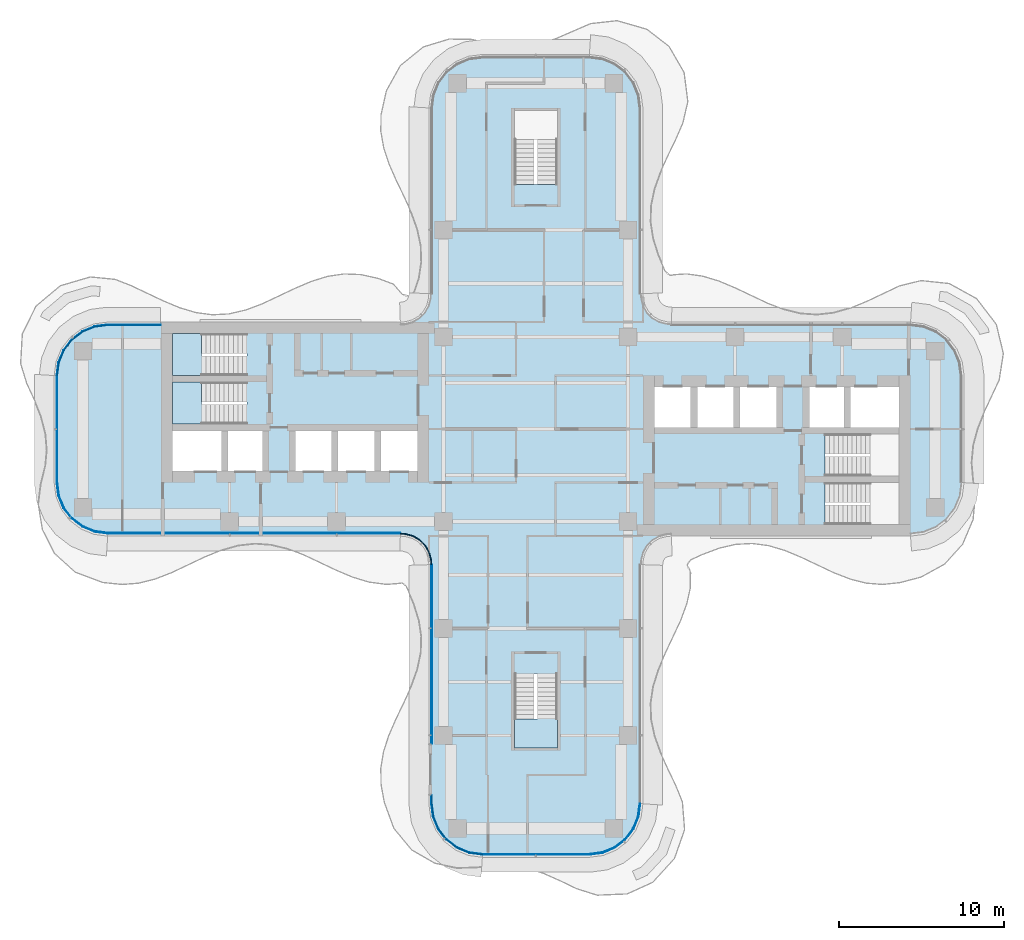
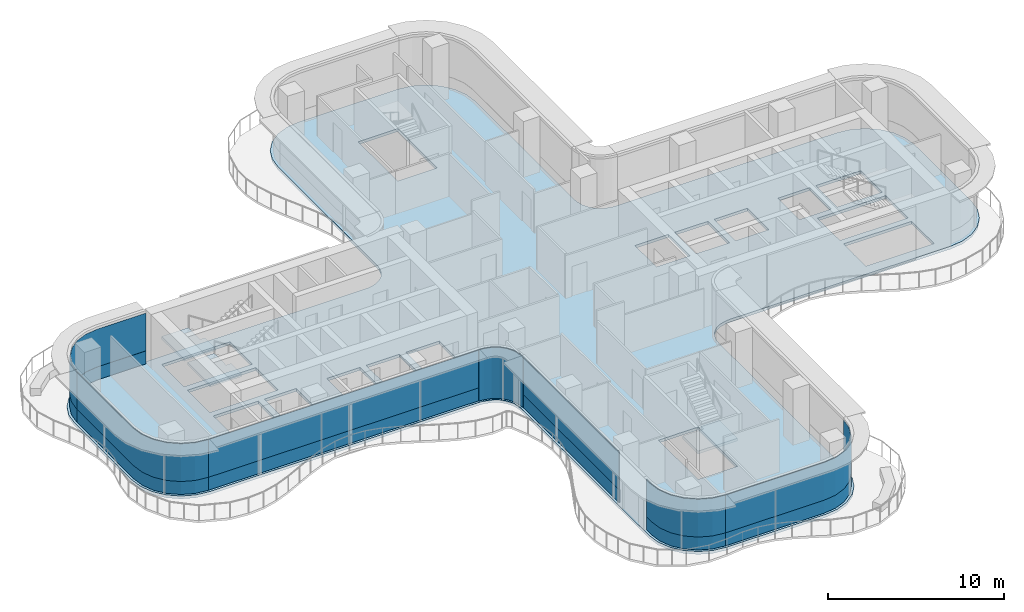
# One storey, part 9 of 17: 13 plates, 4 slabs, 10 elements without a shape of their own.
"""IFC4 building model written with IfcOpenShell, lengths in metres."""

from ifc_helpers import new_model, si_unit, direction, frame, origin, place, context, subcontext, project, spatial, polyline, outline, extrude, source, transform, mapped, material, layer, layer_set, type_object, element, aggregate, save


model = new_model("IFC4")

# Units and contexts
model_context = context("Model", 3, precision=1e-05, world=origin(), true_north=direction((0.0, 1.0)))
body_context = subcontext(model_context, "Body", "Model", "MODEL_VIEW")
ifc_project = project(units=[si_unit("LENGTHUNIT", "METRE"), si_unit("AREAUNIT", "SQUARE_METRE"), si_unit("VOLUMEUNIT", "CUBIC_METRE"), si_unit("PLANEANGLEUNIT", "RADIAN"), si_unit("MASSUNIT", "GRAM", prefix="KILO")], contexts=[model_context])

# Site, building, storey
site_placement = place(None, origin())
site = spatial("IfcSite", under=ifc_project, at=site_placement, CompositionType="ELEMENT")
building_placement = place(site_placement, origin())
building = spatial("IfcBuilding", under=site, at=building_placement, Name="Trellis Farm Tower", CompositionType="ELEMENT")
storey_placement = place(building_placement, frame((0.0, 0.0, 240.199951171875)))
storey = spatial("IfcBuildingStorey", under=building, at=storey_placement, Name="L53", CompositionType="ELEMENT", Elevation=240.199951171875)

# Curtain wall, plate
ifc_material_1 = material(Name="Aluminium and glass curtain wall", Category="aluminium")
ifc_layer_1 = layer(ifc_material_1, 0.18994140625)
ifc_layer_set_1 = layer_set([ifc_layer_1], Name="RIBBON CURTAIN WALL CW1")
curtain_wall_type_1 = type_object("IfcCurtainWallType", Name="RIBBON CURTAIN WALL CW1", PredefinedType="NOTDEFINED", material=ifc_layer_set_1)
placement_1 = place(storey_placement, origin())
curtain_wall_1 = element("IfcCurtainWall", 1, at=placement_1, inside=storey, type_object=curtain_wall_type_1, Name="CW1 002", PredefinedType="NOTDEFINED")
ifc_material_2 = material(Name="Clear insulated glass", Category="glass")
ifc_layer_2 = layer(ifc_material_2, 0.0400390625)
ifc_layer_set_2 = layer_set([ifc_layer_2], Name="CW1 GLASS PANEL 40")
plate_type_1 = type_object("IfcPlateType", Name="CW1 GLASS PANEL 40", PredefinedType="CURTAIN_PANEL", material=ifc_layer_set_2)
placement_2 = place(storey_placement, frame((0.0, 0.0, 0.900146484375)))
plate_1 = element("IfcPlate", 2, at=placement_2, type_object=plate_type_1, Name="PL1 002", PredefinedType="CURTAIN_PANEL", context=body_context, shape_type="SweptSolid", body=[
    extrude(outline(polyline([(-6.35009765625, -8.2265625), (-6.35009765625, -19.114990234375), (-6.31005859375, -19.114990234375), (-6.31005859375, -8.22509765625), (-6.35009765625, -8.2265625)])), origin(), (0.0, 0.0, 1.0), 2.619873046875),
])

curtain_wall_2 = element("IfcCurtainWall", 3, at=placement_1, inside=storey, type_object=curtain_wall_type_1, Name="CW1 003", PredefinedType="NOTDEFINED")
plate_2 = element("IfcPlate", 4, at=placement_2, type_object=plate_type_1, Name="PL1 003", PredefinedType="CURTAIN_PANEL", context=body_context, shape_type="SweptSolid", body=[
    extrude(outline(polyline([(-6.35009765625, -22.235107421875), (-6.35009765625, -22.740234375), (-6.2431640625, -23.552001953125), (-5.93359375, -24.29931640625), (-5.441162109375, -24.941162109375), (-4.79931640625, -25.43359375), (-4.052001953125, -25.7431640625), (-3.240234375, -25.85009765625), (-3.237548828125, -25.81005859375), (-4.04150390625, -25.7041015625), (-4.779296875, -25.398681640625), (-5.41259765625, -24.91259765625), (-5.898681640625, -24.279296875), (-6.2041015625, -23.54150390625), (-6.31005859375, -22.737548828125), (-6.31005859375, -22.235107421875), (-6.35009765625, -22.235107421875)])), origin(), (0.0, 0.0, 1.0), 2.619873046875),
])

# Plate
ifc_material_3 = material(Name="Sandstone faced insulated panel", Category="masonry")
ifc_layer_3 = layer(ifc_material_3, 0.050048828125)
ifc_layer_set_3 = layer_set([ifc_layer_3], Name="CW1 STONE SPANDREL PANEL 50")
plate_type_2 = type_object("IfcPlateType", Name="CW1 STONE SPANDREL PANEL 50", PredefinedType="CURTAIN_PANEL", material=ifc_layer_set_3)
plate_3 = element("IfcPlate", 5, at=placement_1, type_object=plate_type_2, Name="PS1 002", PredefinedType="CURTAIN_PANEL", context=body_context, shape_type="SweptSolid", body=[
    extrude(outline(polyline([(-6.35009765625, -8.2265625), (-6.35009765625, -19.114990234375), (-6.300048828125, -19.114990234375), (-6.300048828125, -8.224853515625), (-6.35009765625, -8.2265625)])), origin(), (0.0, 0.0, 1.0), 0.900146484375),
])

aggregate(curtain_wall_1, [plate_1, plate_3])

plate_4 = element("IfcPlate", 6, at=placement_1, type_object=plate_type_2, Name="PS1 003", PredefinedType="CURTAIN_PANEL", context=body_context, shape_type="SweptSolid", body=[
    extrude(outline(polyline([(-6.35009765625, -22.235107421875), (-6.35009765625, -22.740234375), (-6.2431640625, -23.552001953125), (-5.93359375, -24.29931640625), (-5.441162109375, -24.941162109375), (-4.79931640625, -25.43359375), (-4.052001953125, -25.7431640625), (-3.240234375, -25.85009765625), (-3.23681640625, -25.800048828125), (-4.0390625, -25.6943359375), (-4.774169921875, -25.389892578125), (-5.405517578125, -24.905517578125), (-5.889892578125, -24.274169921875), (-6.1943359375, -23.5390625), (-6.300048828125, -22.73681640625), (-6.300048828125, -22.235107421875), (-6.35009765625, -22.235107421875)])), origin(), (0.0, 0.0, 1.0), 0.900146484375),
])

aggregate(curtain_wall_2, [plate_2, plate_4])

# Slab
ifc_material_4 = material(Name="Concrete C40/50", Category="concrete")
ifc_layer_4 = layer(ifc_material_4, 0.199951171875)
ifc_layer_set_4 = layer_set([ifc_layer_4], Name="Composite deck floor slab 200")
slab_type_1 = type_object("IfcSlabType", Name="Composite deck floor slab 200", PredefinedType="FLOOR", material=ifc_layer_set_4)
shared_shape_1 = source(origin(), body_context, "Body", "SweptSolid", [
    extrude(outline(polyline([(-26.84130859375, -6.389404296875), (-27.625, -6.064697265625), (-28.298095703125, -5.548095703125), (-28.814697265625, -4.875), (-29.139404296875, -4.09130859375), (-29.25, -3.25), (-29.25, 3.25), (-29.139404296875, 4.09130859375), (-28.814697265625, 4.875), (-28.298095703125, 5.548095703125), (-27.625, 6.064697265625), (-26.84130859375, 6.389404296875), (-26.0, 6.5), (-8.2314453125, 6.5), (-8.01953125, 6.513916015625), (-7.91552734375, 6.527587890625), (-7.508544921875, 6.63671875), (-7.144287109375, 6.846923828125), (-6.846923828125, 7.144287109375), (-6.63671875, 7.508544921875), (-6.527587890625, 7.91552734375), (-6.513916015625, 8.01953125), (-6.5, 8.2314453125), (-6.5, 19.5), (-6.389404296875, 20.34130859375), (-6.064697265625, 21.125), (-5.548095703125, 21.798095703125), (-4.875, 22.314697265625), (-4.09130859375, 22.639404296875), (-3.25, 22.75), (3.25, 22.75), (4.09130859375, 22.639404296875), (4.875, 22.314697265625), (5.548095703125, 21.798095703125), (6.064697265625, 21.125), (6.389404296875, 20.34130859375), (6.5, 19.5), (6.5, 8.2314453125), (6.513916015625, 8.01953125), (6.527587890625, 7.91552734375), (6.63671875, 7.508544921875), (6.846923828125, 7.144287109375), (7.144287109375, 6.846923828125), (7.508544921875, 6.63671875), (7.91552734375, 6.527587890625), (8.01953125, 6.513916015625), (8.2314453125, 6.5), (22.75, 6.5), (23.59130859375, 6.389404296875), (24.375, 6.064697265625), (25.048095703125, 5.548095703125), (25.564697265625, 4.875), (25.889404296875, 4.09130859375), (26.0, 3.25), (26.0, -3.25), (25.889404296875, -4.09130859375), (25.564697265625, -4.875), (25.048095703125, -5.548095703125), (24.375, -6.064697265625), (23.59130859375, -6.389404296875), (22.75, -6.5), (8.2314453125, -6.5), (8.01953125, -6.513916015625), (7.91552734375, -6.527587890625), (7.508544921875, -6.63671875), (7.144287109375, -6.846923828125), (6.846923828125, -7.144287109375), (6.63671875, -7.508544921875), (6.527587890625, -7.91552734375), (6.513916015625, -8.01953125), (6.5, -8.2314453125), (6.5, -22.75), (6.389404296875, -23.59130859375), (6.064697265625, -24.375), (5.548095703125, -25.048095703125), (4.875, -25.564697265625), (4.09130859375, -25.889404296875), (3.25, -26.0), (-3.25, -26.0), (-4.09130859375, -25.889404296875), (-4.875, -25.564697265625), (-5.548095703125, -25.048095703125), (-6.064697265625, -24.375), (-6.389404296875, -23.59130859375), (-6.5, -22.75), (-6.5, -8.2314453125), (-6.513916015625, -8.01953125), (-6.527587890625, -7.91552734375), (-6.63671875, -7.508544921875), (-6.846923828125, -7.144287109375), (-7.144287109375, -6.846923828125), (-7.508544921875, -6.63671875), (-7.91552734375, -6.527587890625), (-8.01953125, -6.513916015625), (-8.2314453125, -6.5), (-26.0, -6.5), (-26.84130859375, -6.389404296875)]), holes=[polyline([(-22.050048828125, -0.10009765625), (-22.050048828125, -2.550048828125), (-19.10009765625, -2.550048828125), (-19.10009765625, -0.10009765625), (-22.050048828125, -0.10009765625)]), polyline([(-18.699951171875, -0.10009765625), (-18.699951171875, -2.550048828125), (-16.60009765625, -2.550048828125), (-16.60009765625, -0.10009765625), (-18.699951171875, -0.10009765625)]), polyline([(-14.60009765625, -0.10009765625), (-14.60009765625, -2.550048828125), (-12.39990234375, -2.550048828125), (-12.39990234375, -0.10009765625), (-14.60009765625, -0.10009765625)]), polyline([(-12.0, -0.10009765625), (-12.0, -2.550048828125), (-9.800048828125, -2.550048828125), (-9.800048828125, -0.10009765625), (-12.0, -0.10009765625)]), polyline([(-9.39990234375, -0.10009765625), (-9.39990234375, -2.550048828125), (-7.199951171875, -2.550048828125), (-7.199951171875, -0.10009765625), (-9.39990234375, -0.10009765625)]), polyline([(-17.56201171875, 1.64990234375), (-17.56201171875, 2.85009765625), (-22.050048828125, 2.85009765625), (-22.050048828125, 0.300048828125), (-17.56005859375, 0.300048828125), (-17.56005859375, 1.5), (-17.550048828125, 1.5), (-17.550048828125, 1.64990234375), (-17.56201171875, 1.64990234375)]), polyline([(-17.56201171875, 4.60009765625), (-17.56201171875, 5.800048828125), (-22.050048828125, 5.800048828125), (-22.050048828125, 3.25), (-17.56005859375, 3.25), (-17.56005859375, 4.449951171875), (-17.550048828125, 4.449951171875), (-17.550048828125, 4.60009765625), (-17.56201171875, 4.60009765625)]), polyline([(0.10009765625, 14.862060546875), (1.300048828125, 14.862060546875), (1.300048828125, 19.35009765625), (-1.300048828125, 19.35009765625), (-1.300048828125, 14.860107421875), (-0.10009765625, 14.860107421875), (-0.10009765625, 14.85009765625), (0.10009765625, 14.85009765625), (0.10009765625, 14.862060546875)]), polyline([(-0.10009765625, -14.862060546875), (-1.300048828125, -14.862060546875), (-1.300048828125, -19.35009765625), (1.300048828125, -19.35009765625), (1.300048828125, -14.860107421875), (0.10009765625, -14.860107421875), (0.10009765625, -14.85009765625), (-0.10009765625, -14.85009765625), (-0.10009765625, -14.862060546875)]), polyline([(17.56201171875, -4.60009765625), (17.56201171875, -5.800048828125), (22.050048828125, -5.800048828125), (22.050048828125, -3.25), (17.56005859375, -3.25), (17.56005859375, -4.449951171875), (17.550048828125, -4.449951171875), (17.550048828125, -4.60009765625), (17.56201171875, -4.60009765625)]), polyline([(17.56201171875, -1.64990234375), (17.56201171875, -2.85009765625), (22.050048828125, -2.85009765625), (22.050048828125, -0.300048828125), (17.56005859375, -0.300048828125), (17.56005859375, -1.5), (17.550048828125, -1.5), (17.550048828125, -1.64990234375), (17.56201171875, -1.64990234375)]), polyline([(9.39990234375, 0.10009765625), (9.39990234375, 2.550048828125), (7.199951171875, 2.550048828125), (7.199951171875, 0.10009765625), (9.39990234375, 0.10009765625)]), polyline([(12.0, 0.10009765625), (12.0, 2.550048828125), (9.800048828125, 2.550048828125), (9.800048828125, 0.10009765625), (12.0, 0.10009765625)]), polyline([(14.60009765625, 0.10009765625), (14.60009765625, 2.550048828125), (12.39990234375, 2.550048828125), (12.39990234375, 0.10009765625), (14.60009765625, 0.10009765625)]), polyline([(18.699951171875, 0.10009765625), (18.699951171875, 2.550048828125), (16.60009765625, 2.550048828125), (16.60009765625, 0.10009765625), (18.699951171875, 0.10009765625)]), polyline([(22.050048828125, 0.10009765625), (22.050048828125, 2.550048828125), (19.10009765625, 2.550048828125), (19.10009765625, 0.10009765625), (22.050048828125, 0.10009765625)])]), origin(), (0.0, 0.0, 1.0), 0.199951171875),
])
slab_1_placement = place(storey_placement, frame((0.0, 0.0, -0.199951171875)))
element("IfcSlab", 7, at=slab_1_placement, inside=storey, type_object=slab_type_1, Name="Floor slab", PredefinedType="FLOOR", context=body_context, shape_type="MappedRepresentation", body=[
    mapped(shared_shape_1, transform((0.0, 0.0, 0.0))),
])

# Stair, slab
ifc_material_5 = material(Name="Concrete C50/60", Category="concrete")
stair_type = type_object("IfcStairType", Name="CORE EXIT STAIR 22 RISERS 177 MM", PredefinedType="HALF_TURN_STAIR", material=ifc_material_5)
stair_1 = element("IfcStair", 8, at=placement_1, inside=storey, type_object=stair_type, Name="Exit stair S", PredefinedType="HALF_TURN_STAIR")
ifc_layer_5 = layer(ifc_material_5, 0.18994140625)
ifc_layer_set_5 = layer_set([ifc_layer_5], Name="CORE STAIR LANDING 190 CONCRETE C50/60")
slab_type_2 = type_object("IfcSlabType", Name="CORE STAIR LANDING 190 CONCRETE C50/60", PredefinedType="LANDING", material=ifc_layer_set_5)
shared_shape_2 = source(origin(), body_context, "Body", "SweptSolid", [
    extrude(outline(polyline([(1.300048828125, -19.35009765625), (-1.300048828125, -19.35009765625), (-1.300048828125, -17.60009765625), (-1.300048828125, -17.590087890625), (-0.10009765625, -17.590087890625), (-0.10009765625, -17.60009765625), (0.10009765625, -17.60009765625), (0.10009765625, -17.27197265625), (1.300048828125, -17.27197265625), (1.300048828125, -17.60009765625), (1.300048828125, -19.35009765625)])), origin(), (0.0, 0.0, 1.0), 0.18994140625),
])
placement_3 = place(storey_placement, frame((0.0, 0.0, 1.760009765625)))
slab_2 = element("IfcSlab", 9, at=placement_3, type_object=slab_type_2, Name="STS landing 1", PredefinedType="LANDING", context=body_context, shape_type="MappedRepresentation", body=[
    mapped(shared_shape_2, transform((0.0, 0.0, 0.0))),
])
aggregate(stair_1, [slab_2])

stair_2 = element("IfcStair", 10, at=placement_1, inside=storey, type_object=stair_type, Name="Exit stair W1", PredefinedType="HALF_TURN_STAIR")
shared_shape_3 = source(origin(), body_context, "Body", "SweptSolid", [
    extrude(outline(polyline([(-19.971923828125, 4.449951171875), (-19.971923828125, 3.25), (-20.300048828125, 3.25), (-22.050048828125, 3.25), (-22.050048828125, 5.800048828125), (-20.300048828125, 5.800048828125), (-20.2900390625, 5.800048828125), (-20.2900390625, 4.60009765625), (-20.300048828125, 4.60009765625), (-20.300048828125, 4.449951171875), (-19.971923828125, 4.449951171875)])), origin(), (0.0, 0.0, 1.0), 0.18994140625),
])
slab_3 = element("IfcSlab", 11, at=placement_3, type_object=slab_type_2, Name="STW1 landing 1", PredefinedType="LANDING", context=body_context, shape_type="MappedRepresentation", body=[
    mapped(shared_shape_3, transform((0.0, 0.0, 0.0))),
])
aggregate(stair_2, [slab_3])

stair_3 = element("IfcStair", 12, at=placement_1, inside=storey, type_object=stair_type, Name="Exit stair W2", PredefinedType="HALF_TURN_STAIR")
shared_shape_4 = source(origin(), body_context, "Body", "SweptSolid", [
    extrude(outline(polyline([(-19.971923828125, 1.5), (-19.971923828125, 0.300048828125), (-20.300048828125, 0.300048828125), (-22.050048828125, 0.300048828125), (-22.050048828125, 2.85009765625), (-20.300048828125, 2.85009765625), (-20.2900390625, 2.85009765625), (-20.2900390625, 1.64990234375), (-20.300048828125, 1.64990234375), (-20.300048828125, 1.5), (-19.971923828125, 1.5)])), origin(), (0.0, 0.0, 1.0), 0.18994140625),
])
slab_4 = element("IfcSlab", 13, at=placement_3, type_object=slab_type_2, Name="STW2 landing 1", PredefinedType="LANDING", context=body_context, shape_type="MappedRepresentation", body=[
    mapped(shared_shape_4, transform((0.0, 0.0, 0.0))),
])
aggregate(stair_3, [slab_4])

# Curtain wall, plate
ifc_layer_6 = layer(ifc_material_1, 0.166015625)
ifc_layer_set_6 = layer_set([ifc_layer_6], Name="WINTER GARDEN CURTAIN WALL CW3")
curtain_wall_type_2 = type_object("IfcCurtainWallType", Name="WINTER GARDEN CURTAIN WALL CW3", PredefinedType="NOTDEFINED", material=ifc_layer_set_6)
curtain_wall_3 = element("IfcCurtainWall", 14, at=placement_1, inside=storey, type_object=curtain_wall_type_2, Name="CW3 001", PredefinedType="NOTDEFINED")
ifc_layer_7 = layer(ifc_material_2, 0.0458984375)
ifc_layer_set_7 = layer_set([ifc_layer_7], Name="CW3 GLASS PANEL 46")
plate_type_3 = type_object("IfcPlateType", Name="CW3 GLASS PANEL 46", PredefinedType="CURTAIN_PANEL", material=ifc_layer_set_7)
shared_shape_5 = source(origin(), body_context, "Body", "SweptSolid", [
    extrude(outline(polyline([(-8.2275390625, -6.3798828125), (-8.0078125, -6.394287109375), (-7.89208984375, -6.40966796875), (-7.462158203125, -6.52490234375), (-7.070556640625, -6.7509765625), (-6.7509765625, -7.070556640625), (-6.52490234375, -7.462158203125), (-6.40966796875, -7.89208984375), (-6.394287109375, -8.0078125), (-6.3798828125, -8.2275390625), (-6.333984375, -8.22607421875), (-6.3486328125, -8.003173828125), (-6.364501953125, -7.883056640625), (-6.48193359375, -7.4443359375), (-6.714111328125, -7.04248046875), (-7.04248046875, -6.714111328125), (-7.4443359375, -6.48193359375), (-7.883056640625, -6.364501953125), (-8.003173828125, -6.3486328125), (-8.22607421875, -6.333984375), (-8.2275390625, -6.3798828125)])), origin(), (0.0, 0.0, 1.0), 3.550048828125),
])
plate_5 = element("IfcPlate", 15, at=placement_1, type_object=plate_type_3, Name="PL3 001", PredefinedType="CURTAIN_PANEL", context=body_context, shape_type="MappedRepresentation", body=[
    mapped(shared_shape_5, transform((0.0, 0.0, 0.0))),
])
aggregate(curtain_wall_3, [plate_5])

# Curtain wall, plates
curtain_wall_4 = element("IfcCurtainWall", 16, at=placement_1, inside=storey, type_object=curtain_wall_type_1, Name="CW1 001", PredefinedType="NOTDEFINED")
shared_shape_6 = source(origin(), body_context, "Body", "SweptSolid", [
    extrude(outline(polyline([(-25.990234375, -6.35009765625), (-8.2265625, -6.35009765625), (-8.22509765625, -6.31005859375), (-25.987548828125, -6.31005859375), (-25.990234375, -6.35009765625)])), origin(), (0.0, 0.0, 1.0), 2.619873046875),
])
plate_6 = element("IfcPlate", 17, at=placement_2, type_object=plate_type_1, Name="PL1 001", PredefinedType="CURTAIN_PANEL", context=body_context, shape_type="MappedRepresentation", body=[
    mapped(shared_shape_6, transform((0.0, 0.0, 0.0))),
])
shared_shape_7 = source(origin(), body_context, "Body", "SweptSolid", [
    extrude(outline(polyline([(-25.990234375, -6.35009765625), (-8.2265625, -6.35009765625), (-8.224853515625, -6.300048828125), (-25.98681640625, -6.300048828125), (-25.990234375, -6.35009765625)])), origin(), (0.0, 0.0, 1.0), 0.900146484375),
])
plate_7 = element("IfcPlate", 18, at=placement_1, type_object=plate_type_2, Name="PS1 001", PredefinedType="CURTAIN_PANEL", context=body_context, shape_type="MappedRepresentation", body=[
    mapped(shared_shape_7, transform((0.0, 0.0, 0.0))),
])
aggregate(curtain_wall_4, [plate_6, plate_7])

curtain_wall_5 = element("IfcCurtainWall", 19, at=placement_1, inside=storey, type_object=curtain_wall_type_1, Name="CW1 004", PredefinedType="NOTDEFINED")
shared_shape_8 = source(origin(), body_context, "Body", "SweptSolid", [
    extrude(outline(polyline([(-3.240234375, -25.85009765625), (3.240234375, -25.85009765625), (4.052001953125, -25.7431640625), (4.79931640625, -25.43359375), (5.441162109375, -24.941162109375), (5.93359375, -24.29931640625), (6.2431640625, -23.552001953125), (6.35009765625, -22.740234375), (6.31005859375, -22.737548828125), (6.2041015625, -23.54150390625), (5.898681640625, -24.279296875), (5.41259765625, -24.91259765625), (4.779296875, -25.398681640625), (4.04150390625, -25.7041015625), (3.237548828125, -25.81005859375), (-3.237548828125, -25.81005859375), (-3.240234375, -25.85009765625)])), origin(), (0.0, 0.0, 1.0), 2.619873046875),
])
plate_8 = element("IfcPlate", 20, at=placement_2, type_object=plate_type_1, Name="PL1 004", PredefinedType="CURTAIN_PANEL", context=body_context, shape_type="MappedRepresentation", body=[
    mapped(shared_shape_8, transform((0.0, 0.0, 0.0))),
])
shared_shape_9 = source(origin(), body_context, "Body", "SweptSolid", [
    extrude(outline(polyline([(-3.240234375, -25.85009765625), (3.240234375, -25.85009765625), (4.052001953125, -25.7431640625), (4.79931640625, -25.43359375), (5.441162109375, -24.941162109375), (5.93359375, -24.29931640625), (6.2431640625, -23.552001953125), (6.35009765625, -22.740234375), (6.300048828125, -22.73681640625), (6.1943359375, -23.5390625), (5.889892578125, -24.274169921875), (5.405517578125, -24.905517578125), (4.774169921875, -25.389892578125), (4.0390625, -25.6943359375), (3.23681640625, -25.800048828125), (-3.23681640625, -25.800048828125), (-3.240234375, -25.85009765625)])), origin(), (0.0, 0.0, 1.0), 0.900146484375),
])
plate_9 = element("IfcPlate", 21, at=placement_1, type_object=plate_type_2, Name="PS1 004", PredefinedType="CURTAIN_PANEL", context=body_context, shape_type="MappedRepresentation", body=[
    mapped(shared_shape_9, transform((0.0, 0.0, 0.0))),
])
aggregate(curtain_wall_5, [plate_8, plate_9])

curtain_wall_6 = element("IfcCurtainWall", 22, at=placement_1, inside=storey, type_object=curtain_wall_type_1, Name="CW1 012", PredefinedType="NOTDEFINED")
shared_shape_10 = source(origin(), body_context, "Body", "SweptSolid", [
    extrude(outline(polyline([(-22.780029296875, 6.35009765625), (-25.990234375, 6.35009765625), (-26.802001953125, 6.2431640625), (-27.54931640625, 5.93359375), (-28.191162109375, 5.441162109375), (-28.68359375, 4.79931640625), (-28.9931640625, 4.052001953125), (-29.10009765625, 3.240234375), (-29.06005859375, 3.237548828125), (-28.9541015625, 4.04150390625), (-28.648681640625, 4.779296875), (-28.16259765625, 5.41259765625), (-27.529296875, 5.898681640625), (-26.79150390625, 6.2041015625), (-25.987548828125, 6.31005859375), (-22.780029296875, 6.31005859375), (-22.780029296875, 6.35009765625)])), origin(), (0.0, 0.0, 1.0), 2.619873046875),
])
plate_10 = element("IfcPlate", 23, at=placement_2, type_object=plate_type_1, Name="PL1 012", PredefinedType="CURTAIN_PANEL", context=body_context, shape_type="MappedRepresentation", body=[
    mapped(shared_shape_10, transform((0.0, 0.0, 0.0))),
])
shared_shape_11 = source(origin(), body_context, "Body", "SweptSolid", [
    extrude(outline(polyline([(-22.780029296875, 6.35009765625), (-25.990234375, 6.35009765625), (-26.802001953125, 6.2431640625), (-27.54931640625, 5.93359375), (-28.191162109375, 5.441162109375), (-28.68359375, 4.79931640625), (-28.9931640625, 4.052001953125), (-29.10009765625, 3.240234375), (-29.050048828125, 3.23681640625), (-28.9443359375, 4.0390625), (-28.639892578125, 4.774169921875), (-28.155517578125, 5.405517578125), (-27.524169921875, 5.889892578125), (-26.7890625, 6.1943359375), (-25.98681640625, 6.300048828125), (-22.780029296875, 6.300048828125), (-22.780029296875, 6.35009765625)])), origin(), (0.0, 0.0, 1.0), 0.900146484375),
])
plate_11 = element("IfcPlate", 24, at=placement_1, type_object=plate_type_2, Name="PS1 012", PredefinedType="CURTAIN_PANEL", context=body_context, shape_type="MappedRepresentation", body=[
    mapped(shared_shape_11, transform((0.0, 0.0, 0.0))),
])
aggregate(curtain_wall_6, [plate_10, plate_11])

curtain_wall_7 = element("IfcCurtainWall", 25, at=placement_1, inside=storey, type_object=curtain_wall_type_1, Name="CW1 013", PredefinedType="NOTDEFINED")
shared_shape_12 = source(origin(), body_context, "Body", "SweptSolid", [
    extrude(outline(polyline([(-29.10009765625, 3.240234375), (-29.10009765625, -3.240234375), (-28.9931640625, -4.052001953125), (-28.68359375, -4.79931640625), (-28.191162109375, -5.441162109375), (-27.54931640625, -5.93359375), (-26.802001953125, -6.2431640625), (-25.990234375, -6.35009765625), (-25.987548828125, -6.31005859375), (-26.79150390625, -6.2041015625), (-27.529296875, -5.898681640625), (-28.16259765625, -5.41259765625), (-28.648681640625, -4.779296875), (-28.9541015625, -4.04150390625), (-29.06005859375, -3.237548828125), (-29.06005859375, 3.237548828125), (-29.10009765625, 3.240234375)])), origin(), (0.0, 0.0, 1.0), 2.619873046875),
])
plate_12 = element("IfcPlate", 26, at=placement_2, type_object=plate_type_1, Name="PL1 013", PredefinedType="CURTAIN_PANEL", context=body_context, shape_type="MappedRepresentation", body=[
    mapped(shared_shape_12, transform((0.0, 0.0, 0.0))),
])
shared_shape_13 = source(origin(), body_context, "Body", "SweptSolid", [
    extrude(outline(polyline([(-29.10009765625, 3.240234375), (-29.10009765625, -3.240234375), (-28.9931640625, -4.052001953125), (-28.68359375, -4.79931640625), (-28.191162109375, -5.441162109375), (-27.54931640625, -5.93359375), (-26.802001953125, -6.2431640625), (-25.990234375, -6.35009765625), (-25.98681640625, -6.300048828125), (-26.7890625, -6.1943359375), (-27.524169921875, -5.889892578125), (-28.155517578125, -5.405517578125), (-28.639892578125, -4.774169921875), (-28.9443359375, -4.0390625), (-29.050048828125, -3.23681640625), (-29.050048828125, 3.23681640625), (-29.10009765625, 3.240234375)])), origin(), (0.0, 0.0, 1.0), 0.900146484375),
])
plate_13 = element("IfcPlate", 27, at=placement_1, type_object=plate_type_2, Name="PS1 013", PredefinedType="CURTAIN_PANEL", context=body_context, shape_type="MappedRepresentation", body=[
    mapped(shared_shape_13, transform((0.0, 0.0, 0.0))),
])
aggregate(curtain_wall_7, [plate_12, plate_13])

save(model, "model.ifc")
